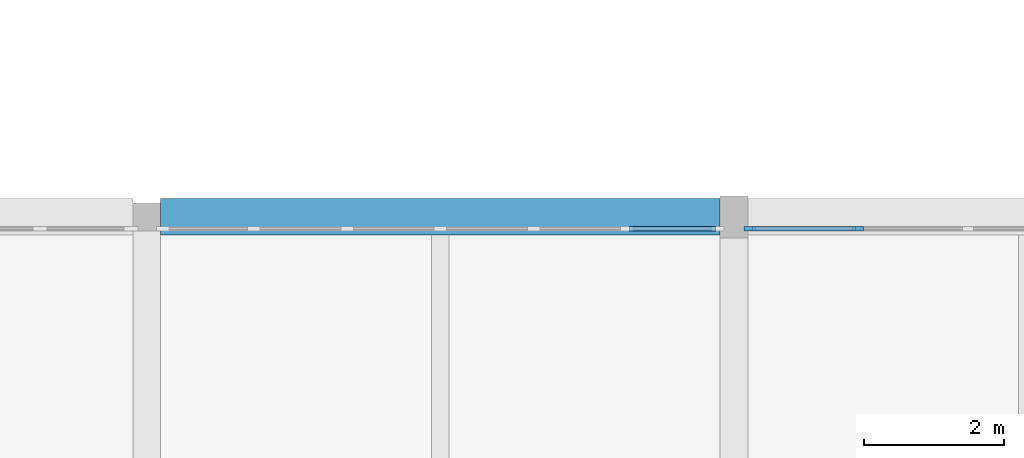
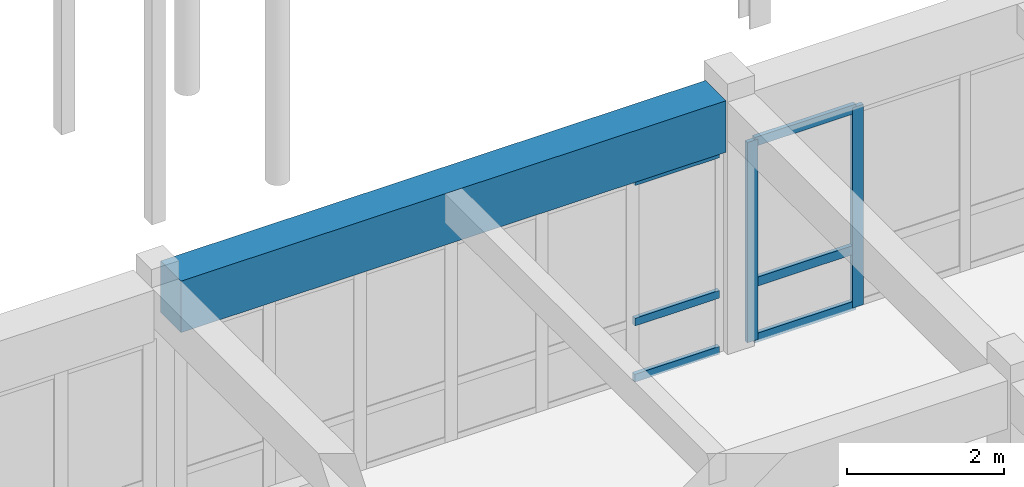
# One storey, part 50 of 147: 8 members, 1 beam, 2 elements without a shape of their own.
"""IFC4 building model written with IfcOpenShell, lengths in metres."""

import ifcopenshell
import ifcopenshell.guid

model = None  # the IFC model being written
_history = None  # IfcOwnerHistory: only IFC2X3 demands one
_inside = {}  # id of a spatial element -> (the spatial element, [elements in it])
_under = {}  # id of a project, library or spatial element -> (it, [spatial elements below it])
_declared = {}  # id of a project -> (the project, [libraries it declares])
_typed = {}  # id of a type object -> (the type object, [elements of that type])
_made_of = {}  # id of a material, layer set ... -> (it, [elements and type objects made of it])


def new_model(schema):
    """Start an empty IFC model of exactly this schema.

    Asked for "IFC4X3", IfcOpenShell would pick the latest addendum, in which some entities
    have other attributes; the version numbers below select the first issue.
    IFC2X3 requires an IfcOwnerHistory on every rooted entity: one is made here for all.
    """
    global model, _history
    if schema == "IFC4X3":
        model = ifcopenshell.file(schema_version=(4, 3, 0, 0))
    else:
        model = ifcopenshell.file(schema=schema)
    _inside.clear()
    _under.clear()
    _declared.clear()
    _typed.clear()
    _made_of.clear()
    _history = None
    if model.schema == "IFC2X3":
        org = make("IfcOrganization", Name="unknown")
        user = make(
            "IfcPersonAndOrganization",
            ThePerson=make("IfcPerson", FamilyName="unknown"),
            TheOrganization=org,
        )
        app = make(
            "IfcApplication",
            ApplicationDeveloper=org,
            Version="unknown",
            ApplicationFullName="unknown",
            ApplicationIdentifier="unknown",
        )
        _history = make(
            "IfcOwnerHistory",
            OwningUser=user,
            OwningApplication=app,
            ChangeAction="ADDED",
            CreationDate=0,
        )
    return model


def make(cls, **values):
    """One entity of the class cls with the attributes given. An attribute that is None is left unset."""
    return model.create_entity(
        cls, **{name: value for name, value in values.items() if value is not None}
    )


def rooted(cls, **values):
    """An entity with a GlobalId (a new one), such as an element, a storey or a relation."""
    return make(cls, GlobalId=ifcopenshell.guid.new(), OwnerHistory=_history, **values)


def si_unit(unit_type, name, prefix=None):
    """IfcSIUnit, for example si_unit("LENGTHUNIT", "METRE", prefix="MILLI")."""
    return make("IfcSIUnit", UnitType=unit_type, Prefix=prefix, Name=name)


def assignment(units):
    """IfcUnitAssignment: the units of a project."""
    return None if units is None else make("IfcUnitAssignment", Units=units)


def point(xyz):
    """IfcCartesianPoint."""
    return None if xyz is None else make("IfcCartesianPoint", Coordinates=xyz)


def direction(xyz):
    """IfcDirection."""
    return None if xyz is None else make("IfcDirection", DirectionRatios=xyz)


def frame(location, z_axis=None, x_axis=None):
    """IfcAxis2Placement3D, a coordinate frame: its origin and axes. An axis left out is left unset."""
    return make(
        "IfcAxis2Placement3D",
        Location=point(location),
        Axis=direction(z_axis),
        RefDirection=direction(x_axis),
    )


def frame_2d(location, x_axis=None):
    """IfcAxis2Placement2D, a coordinate frame in the plane: its origin and x axis."""
    return make(
        "IfcAxis2Placement2D", Location=point(location), RefDirection=direction(x_axis)
    )


def origin():
    """The frame at (0, 0, 0) with its axes left unset."""
    return frame((0.0, 0.0, 0.0))


def origin_2d():
    """The frame at (0, 0) in the plane with its x axis left unset."""
    return frame_2d((0.0, 0.0))


def place(relative_to, where):
    """IfcLocalPlacement: puts the frame where relative to a parent placement (None: the world)."""
    return make(
        "IfcLocalPlacement", PlacementRelTo=relative_to, RelativePlacement=where
    )


def context(
    kind, dimensions, precision=None, world=None, true_north=None, identifier=None
):
    """IfcGeometricRepresentationContext, for example the 3D "Model" context."""
    return make(
        "IfcGeometricRepresentationContext",
        ContextIdentifier=identifier,
        ContextType=kind,
        CoordinateSpaceDimension=dimensions,
        Precision=precision,
        WorldCoordinateSystem=world,
        TrueNorth=true_north,
    )


def subcontext(parent, identifier, kind, view, scale=None):
    """IfcGeometricRepresentationSubContext, for example "Body" below "Model"."""
    return make(
        "IfcGeometricRepresentationSubContext",
        ContextIdentifier=identifier,
        ContextType=kind,
        ParentContext=parent,
        TargetScale=scale,
        TargetView=view,
    )


def project(units=None, contexts=None):
    """IfcProject with its units and contexts."""
    return rooted(
        "IfcProject",
        Name="project",
        RepresentationContexts=contexts,
        UnitsInContext=assignment(units),
    )


def spatial(cls, under=None, at=None, **own):
    """A site, building, storey or space (cls), placed at a placement, below another one or the project."""
    s = rooted(cls, ObjectPlacement=at, **own)
    if under is not None:
        _under.setdefault(under.id(), (under, []))[1].append(s)
    return s


def profile(cls, at=None, kind="AREA", **sizes):
    """A parametric profile (cls). Its sizes go by their IFC names, for example OverallWidth=200.0."""
    return make(cls, ProfileType=kind, Position=at, **sizes)


def rectangle(**sizes):
    """IfcRectangleProfileDef."""
    return profile("IfcRectangleProfileDef", **sizes)


def extrude(swept, where, along, depth):
    """IfcExtrudedAreaSolid: the profile swept, set in the frame where, extruded along a direction by depth."""
    return make(
        "IfcExtrudedAreaSolid",
        SweptArea=swept,
        Position=where,
        ExtrudedDirection=direction(along),
        Depth=depth,
    )


def shape(context_of_items, identifier, shape_type, items):
    """IfcShapeRepresentation: the items that make up one representation, for example the "Body"."""
    return make(
        "IfcShapeRepresentation",
        ContextOfItems=context_of_items,
        RepresentationIdentifier=identifier,
        RepresentationType=shape_type,
        Items=items,
    )


def material(Name=None, Category=None):
    """IfcMaterial."""
    return make("IfcMaterial", Name=Name, Category=Category)


def material_profile(
    of_material, cross_section, Name=None, Category=None, Priority=None
):
    """IfcMaterialProfile: a cross section and its material."""
    return make(
        "IfcMaterialProfile",
        Name=Name,
        Material=of_material,
        Profile=cross_section,
        Priority=Priority,
        Category=Category,
    )


def profile_set(profiles, Name=None, composite=None):
    """IfcMaterialProfileSet."""
    return make(
        "IfcMaterialProfileSet",
        Name=Name,
        MaterialProfiles=profiles,
        CompositeProfile=composite,
    )


def made_of(thing, what):
    """Note that an element or type object is made of a material, layer set ...; save() writes the relation."""
    if what is not None:
        _made_of.setdefault(what.id(), (what, []))[1].append(thing)
    return thing


def type_object(cls, material=None, **own):
    """A type object (cls), such as IfcWallType, which elements share."""
    return made_of(rooted(cls, **own), material)


def element(
    cls,
    number,
    at=None,
    inside=None,
    cuts=None,
    type_object=None,
    material=None,
    context=None,
    identifier="Body",
    shape_type=None,
    held_by="IfcProductDefinitionShape",
    body=None,
    shapes=None,
    **own,
):
    """One element of the class cls, such as IfcWall. Its Tag is "e" and its number.

    at: its placement. inside: the storey or other place that contains it. cuts: it is an
    opening in that element (IfcRelVoidsElement). A single representation is given by context,
    identifier, shape_type and body (its items); several are given by shapes. held_by: the class
    of the entity that holds the representations. save() writes the other relations.
    """
    e = rooted(cls, Tag="e%d" % number, ObjectPlacement=at, **own)
    if body is not None:
        shapes = [shape(context, identifier, shape_type, body)]
    if shapes is not None:
        e.Representation = make(held_by, Representations=shapes)
    if inside is not None:
        _inside.setdefault(inside.id(), (inside, []))[1].append(e)
    if cuts is not None:
        rooted(
            "IfcRelVoidsElement", RelatingBuildingElement=cuts, RelatedOpeningElement=e
        )
    if type_object is not None:
        _typed.setdefault(type_object.id(), (type_object, []))[1].append(e)
    return made_of(e, material)


def aggregate(whole, parts):
    """IfcRelAggregates: a whole, such as a stair, and the parts it consists of."""
    return rooted("IfcRelAggregates", RelatingObject=whole, RelatedObjects=parts)


def save(model, path):
    """Write the relations noted so far, then the file.

    IfcRelAggregates (storeys below a building ...), IfcRelContainedInSpatialStructure (elements
    in a storey), IfcRelDefinesByType, IfcRelAssociatesMaterial and IfcRelDeclares: one each for
    every whole, place, type object, material and project.
    """
    for whole, parts in _under.values():
        aggregate(whole, parts)
    for where, things in _inside.values():
        rooted(
            "IfcRelContainedInSpatialStructure",
            RelatedElements=things,
            RelatingStructure=where,
        )
    for kind, things in _typed.values():
        rooted("IfcRelDefinesByType", RelatedObjects=things, RelatingType=kind)
    for what, things in _made_of.values():
        rooted("IfcRelAssociatesMaterial", RelatedObjects=things, RelatingMaterial=what)
    for by, libraries in _declared.values():
        rooted("IfcRelDeclares", RelatingContext=by, RelatedDefinitions=libraries)
    model.write(path)


model = new_model("IFC4")

# Units and contexts
model_context = context("Model", 3, precision=1e-05, world=origin(), true_north=direction((0.0, 1.0)))
body_context = subcontext(model_context, "Body", "Model", "MODEL_VIEW")
ifc_project = project(units=[si_unit("LENGTHUNIT", "METRE"), si_unit("AREAUNIT", "SQUARE_METRE"), si_unit("VOLUMEUNIT", "CUBIC_METRE"), si_unit("PLANEANGLEUNIT", "RADIAN"), si_unit("MASSUNIT", "GRAM", prefix="KILO")], contexts=[model_context])

# Site, building, storey
site_placement = place(None, origin())
site = spatial("IfcSite", under=ifc_project, at=site_placement, CompositionType="ELEMENT")
building_placement = place(site_placement, origin())
building = spatial("IfcBuilding", under=site, at=building_placement, Name="Malvenik Polytechnic", CompositionType="ELEMENT")
storey_placement = place(building_placement, frame((0.0, 0.0, 5.10009765625)))
storey = spatial("IfcBuildingStorey", under=building, at=storey_placement, Name="L01", CompositionType="ELEMENT", Elevation=5.10009765625)

# Curtain wall, members
ifc_material_1 = material(Name="Anodised aluminium 6060-T6", Category="aluminium")
curtain_wall_type = type_object("IfcCurtainWallType", Name="ARC-CW-CW-02", PredefinedType="NOTDEFINED", material=ifc_material_1)
curtain_wall_1_placement = place(storey_placement, origin())
curtain_wall_1 = element("IfcCurtainWall", 1, at=curtain_wall_1_placement, inside=storey, type_object=curtain_wall_type, Name="Unitised Curtain Wall CW-02 L01 #98", PredefinedType="NOTDEFINED")
ifc_material_2 = material(Name="Anodised aluminium", Category="aluminium")
ifc_material_profile_1 = material_profile(ifc_material_2, rectangle(XDim=0.06005859375, YDim=0.159912109375, at=origin_2d()), Name="ALU MULLION 60x160")
ifc_profile_set_1 = profile_set([ifc_material_profile_1], Name="Anodised aluminium")
member_type_1 = type_object("IfcMemberType", Name="ARC-CWM-160", PredefinedType="MULLION", material=ifc_profile_set_1)
member_1_placement = place(storey_placement, frame((126.22802734375, 35.830078125, 0.0), z_axis=(0.0, 0.0, 1.0), x_axis=(0.0, 1.0, 0.0)))
member_1 = element("IfcMember", 2, at=member_1_placement, type_object=member_type_1, Name="CW-02 mullion 1", PredefinedType="MULLION", context=body_context, shape_type="SweptSolid", body=[
    extrude(rectangle(XDim=0.06005859375, YDim=0.159912109375, at=origin_2d()), origin(), (0.0, 0.0, 1.0), 3.10986328125),
])
member_2_placement = place(storey_placement, frame((127.773681640625, 35.830078125, 0.0), z_axis=(0.0, 0.0, 1.0), x_axis=(0.0, 1.0, 0.0)))
member_2 = element("IfcMember", 3, at=member_2_placement, type_object=member_type_1, Name="CW-02 mullion 2", PredefinedType="MULLION", context=body_context, shape_type="SweptSolid", body=[
    extrude(rectangle(XDim=0.06005859375, YDim=0.159912109375, at=origin_2d()), origin(), (0.0, 0.0, 1.0), 3.10986328125),
])

curtain_wall_2_placement = place(storey_placement, origin())
curtain_wall_2 = element("IfcCurtainWall", 4, at=curtain_wall_2_placement, inside=storey, type_object=curtain_wall_type, Name="Unitised Curtain Wall CW-02 L01 #97", PredefinedType="NOTDEFINED")
ifc_material_profile_2 = material_profile(ifc_material_2, rectangle(XDim=0.06005859375, YDim=0.1201171875, at=origin_2d()), Name="ALU TRANSOM 60x120")
ifc_profile_set_2 = profile_set([ifc_material_profile_2], Name="Anodised aluminium")
member_type_2 = type_object("IfcMemberType", Name="ARC-CWT-120", PredefinedType="USERDEFINED", material=ifc_profile_set_2)
member_3_placement = place(storey_placement, frame((124.498046875, 35.830078125, 0.02978515625), z_axis=(1.0, 0.0, 0.0), x_axis=(0.0, 1.0, 0.0)))
member_3 = element("IfcMember", 5, at=member_3_placement, type_object=member_type_2, Name="CW-02 transom 6.1", ObjectType="TRANSOM", PredefinedType="USERDEFINED", context=body_context, shape_type="SweptSolid", body=[
    extrude(rectangle(XDim=0.06005859375, YDim=0.1201171875, at=origin_2d()), origin(), (0.0, 0.0, 1.0), 1.243896484375),
])
member_4_placement = place(storey_placement, frame((124.498046875, 35.830078125, 0.89990234375), z_axis=(1.0, 0.0, 0.0), x_axis=(0.0, 1.0, 0.0)))
member_4 = element("IfcMember", 6, at=member_4_placement, type_object=member_type_2, Name="CW-02 transom 6.2", ObjectType="TRANSOM", PredefinedType="USERDEFINED", context=body_context, shape_type="SweptSolid", body=[
    extrude(rectangle(XDim=0.06005859375, YDim=0.1201171875, at=origin_2d()), origin(), (0.0, 0.0, 1.0), 1.243896484375),
])
member_5_placement = place(storey_placement, frame((124.498046875, 35.830078125, 3.079833984375), z_axis=(1.0, 0.0, 0.0), x_axis=(0.0, 1.0, 0.0)))
member_5 = element("IfcMember", 7, at=member_5_placement, type_object=member_type_2, Name="CW-02 transom 6.3", ObjectType="TRANSOM", PredefinedType="USERDEFINED", context=body_context, shape_type="SweptSolid", body=[
    extrude(rectangle(XDim=0.06005859375, YDim=0.1201171875, at=origin_2d()), origin(), (0.0, 0.0, 1.0), 1.243896484375),
])
aggregate(curtain_wall_2, [member_3, member_4, member_5])

# Member
ifc_material_profile_3 = material_profile(ifc_material_2, rectangle(XDim=0.06005859375, YDim=0.139892578125, at=origin_2d()), Name="ALU TRANSOM 60x140")
ifc_profile_set_3 = profile_set([ifc_material_profile_3], Name="Anodised aluminium")
member_type_3 = type_object("IfcMemberType", Name="ARC-CWT-140", PredefinedType="USERDEFINED", material=ifc_profile_set_3)
member_6_placement = place(storey_placement, frame((126.258056640625, 35.830078125, 0.02978515625), z_axis=(1.0, 0.0, 0.0), x_axis=(0.0, 1.0, 0.0)))
member_6 = element("IfcMember", 8, at=member_6_placement, type_object=member_type_3, Name="CW-02 transom 1.1", ObjectType="TRANSOM", PredefinedType="USERDEFINED", context=body_context, shape_type="SweptSolid", body=[
    extrude(rectangle(XDim=0.06005859375, YDim=0.139892578125, at=origin_2d()), origin(), (0.0, 0.0, 1.0), 1.48583984375),
])

member_7_placement = place(storey_placement, frame((126.258056640625, 35.830078125, 0.89990234375), z_axis=(1.0, 0.0, 0.0), x_axis=(0.0, 1.0, 0.0)))
member_7 = element("IfcMember", 9, at=member_7_placement, type_object=member_type_3, Name="CW-02 transom 1.2", ObjectType="TRANSOM", PredefinedType="USERDEFINED", context=body_context, shape_type="SweptSolid", body=[
    extrude(rectangle(XDim=0.06005859375, YDim=0.139892578125, at=origin_2d()), origin(), (0.0, 0.0, 1.0), 1.48583984375),
])

member_8_placement = place(storey_placement, frame((126.258056640625, 35.830078125, 3.079833984375), z_axis=(1.0, 0.0, 0.0), x_axis=(0.0, 1.0, 0.0)))
member_8 = element("IfcMember", 10, at=member_8_placement, type_object=member_type_3, Name="CW-02 transom 1.3", ObjectType="TRANSOM", PredefinedType="USERDEFINED", context=body_context, shape_type="SweptSolid", body=[
    extrude(rectangle(XDim=0.06005859375, YDim=0.139892578125, at=origin_2d()), origin(), (0.0, 0.0, 1.0), 1.48583984375),
])

aggregate(curtain_wall_1, [member_1, member_2, member_6, member_7, member_8])

# Beam
ifc_material_3 = material(Name="Precast concrete C40/50", Category="concrete")
ifc_material_profile_4 = material_profile(ifc_material_3, rectangle(XDim=0.52001953125, YDim=0.800048828125, at=origin_2d()), Name="PC SPN 520x800")
ifc_profile_set_4 = profile_set([ifc_material_profile_4], Name="Precast concrete C40/50")
beam_type = type_object("IfcBeamType", Name="STR-BM-SP-01", PredefinedType="SPANDREL", material=ifc_profile_set_4)
beam_placement = place(storey_placement, frame((117.798095703125, 36.0, 3.52001953125), z_axis=(1.0, 0.0, 0.0), x_axis=(0.0, 1.0, 0.0)))
element("IfcBeam", 11, at=beam_placement, inside=storey, type_object=beam_type, Name="Primary Beam SP-01 L01 #996", PredefinedType="SPANDREL", context=body_context, shape_type="SweptSolid", body=[
    extrude(rectangle(XDim=0.52001953125, YDim=0.800048828125, at=origin_2d()), origin(), (0.0, 0.0, 1.0), 8.00390625),
])

save(model, "model.ifc")
